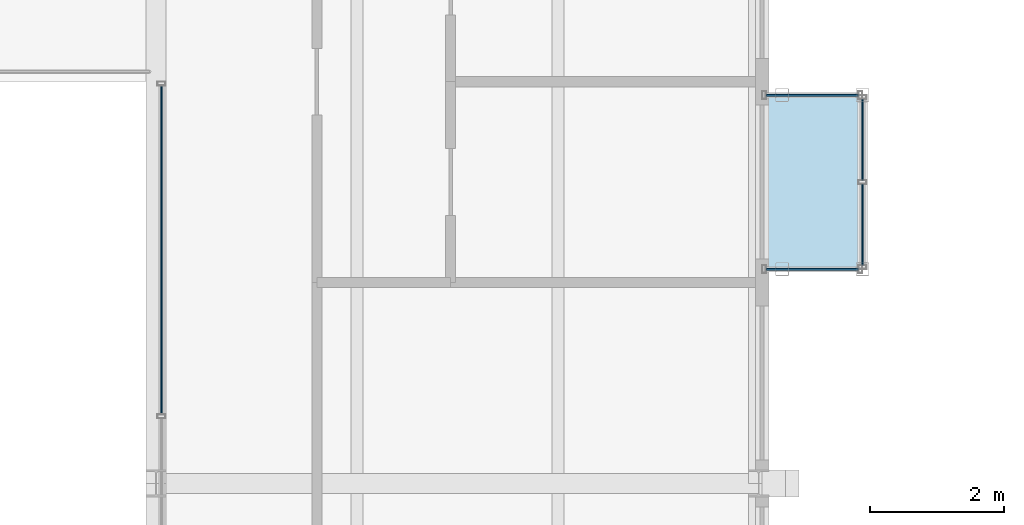
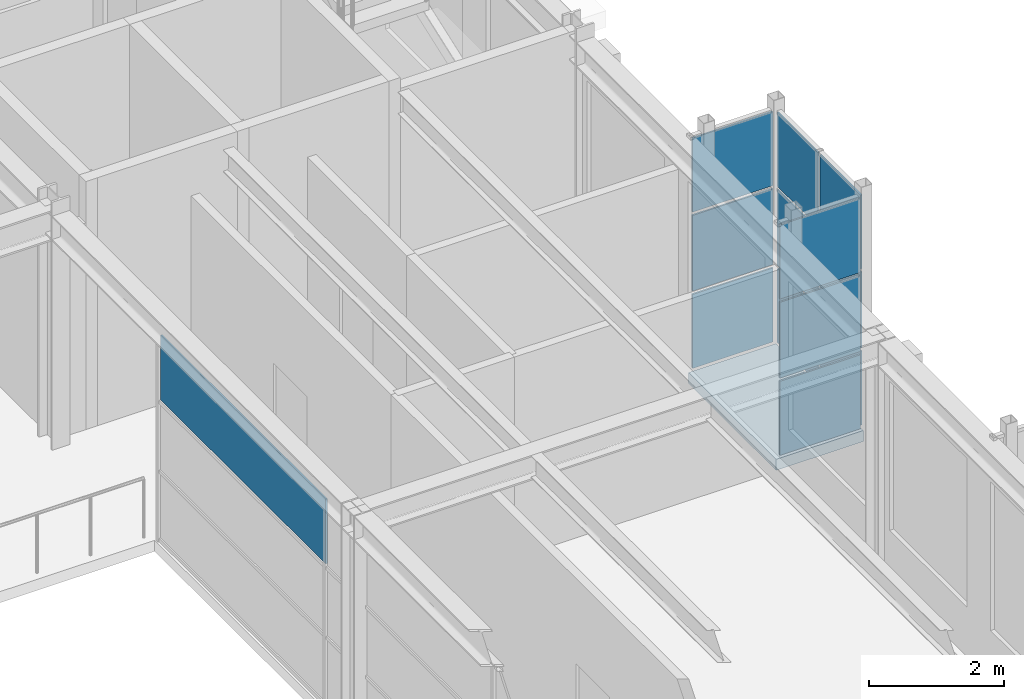
# One storey, part 78 of 149: 13 plates, 1 slab, 4 elements without a shape of their own.
"""IFC4 building model written with IfcOpenShell, lengths in metres."""

from ifc_helpers import new_model, si_unit, direction, frame, origin, origin_2d, place, context, subcontext, project, spatial, polyline, rectangle, outline, extrude, material, layer, layer_set, type_object, element, aggregate, save


model = new_model("IFC4")

# Units and contexts
model_context = context("Model", 3, precision=1e-05, world=origin(), true_north=direction((0.0, 1.0)))
body_context = subcontext(model_context, "Body", "Model", "MODEL_VIEW")
ifc_project = project(units=[si_unit("LENGTHUNIT", "METRE"), si_unit("AREAUNIT", "SQUARE_METRE"), si_unit("VOLUMEUNIT", "CUBIC_METRE"), si_unit("PLANEANGLEUNIT", "RADIAN"), si_unit("MASSUNIT", "GRAM", prefix="KILO")], contexts=[model_context])

# Site, building, storey
site_placement = place(None, origin())
site = spatial("IfcSite", under=ifc_project, at=site_placement, CompositionType="ELEMENT")
building_placement = place(site_placement, origin())
building = spatial("IfcBuilding", under=site, at=building_placement, Name="Kallimachos Central Library", CompositionType="ELEMENT")
storey_placement = place(building_placement, frame((0.0, 0.0, 9.89990234375)))
storey = spatial("IfcBuildingStorey", under=building, at=storey_placement, Name="L02", CompositionType="ELEMENT", Elevation=9.89990234375)

# Curtain wall, plate
ifc_material_1 = material(Name="Aluminium and laminated glass", Category="aluminium")
curtain_wall_type_1 = type_object("IfcCurtainWallType", Name="Atrium glazed screen", PredefinedType="NOTDEFINED", material=ifc_material_1)
curtain_wall_1_placement = place(storey_placement, origin())
curtain_wall_1 = element("IfcCurtainWall", 1, at=curtain_wall_1_placement, inside=storey, type_object=curtain_wall_type_1, Name="L02 atrium screen E", PredefinedType="NOTDEFINED")
ifc_material_2 = material(Name="Laminated glass", Category="glass")
ifc_layer_1 = layer(ifc_material_2, 0.028076171875)
ifc_layer_set_1 = layer_set([ifc_layer_1], Name="Atrium screen glass panel")
plate_type_1 = type_object("IfcPlateType", Name="Atrium screen glass panel", PredefinedType="CURTAIN_PANEL", material=ifc_layer_set_1)
plate_1_placement = place(storey_placement, frame((101.580078125, 69.485107421875, 2.5634765625), z_axis=(0.0, 0.0, 1.0), x_axis=(0.0, 1.0, 0.0)))
plate_1 = element("IfcPlate", 2, at=plate_1_placement, type_object=plate_type_1, Name="CW panel 3.3", PredefinedType="CURTAIN_PANEL", context=body_context, shape_type="SweptSolid", body=[
    extrude(rectangle(XDim=4.909912109375, YDim=0.028076171875, at=origin_2d()), origin(), (0.0, 0.0, 1.0), 1.1767578125),
])
aggregate(curtain_wall_1, [plate_1])

# Slab
ifc_material_3 = material(Name="Composite slab C30/37 on steel deck", Category="concrete")
ifc_layer_2 = layer(ifc_material_3, 0.199951171875)
ifc_layer_set_2 = layer_set([ifc_layer_2], Name="Tribune bay floor slab 200")
slab_type = type_object("IfcSlabType", Name="Tribune bay floor slab 200", PredefinedType="FLOOR", material=ifc_layer_set_2)
slab_placement = place(storey_placement, frame((0.0, 0.0, -0.199951171875)))
element("IfcSlab", 3, at=slab_placement, inside=storey, type_object=slab_type, Name="Tribune bay E2 floor L02", PredefinedType="FLOOR", context=body_context, shape_type="SweptSolid", body=[
    extrude(outline(polyline([(110.550048828125, 69.199951171875), (110.550048828125, 71.800048828125), (112.050048828125, 71.800048828125), (112.050048828125, 69.199951171875), (110.550048828125, 69.199951171875)])), origin(), (0.0, 0.0, 1.0), 0.199951171875),
])

# Curtain wall, plates
ifc_material_4 = material(Name="Aluminium and laminated glass", Category="aluminium")
curtain_wall_type_2 = type_object("IfcCurtainWallType", Name="Tribune bay glazed screen", PredefinedType="NOTDEFINED", material=ifc_material_4)
curtain_wall_2_placement = place(storey_placement, origin())
curtain_wall_2 = element("IfcCurtainWall", 4, at=curtain_wall_2_placement, inside=storey, type_object=curtain_wall_type_2, Name="Tribune bay E2 L02 front", PredefinedType="NOTDEFINED")
ifc_material_5 = material(Name="Laminated glass", Category="glass")
ifc_layer_3 = layer(ifc_material_5, 0.028076171875)
ifc_layer_set_3 = layer_set([ifc_layer_3], Name="Tribune bay glass panel")
plate_type_2 = type_object("IfcPlateType", Name="Tribune bay glass panel", PredefinedType="CURTAIN_PANEL", material=ifc_layer_set_3)
plate_2_placement = place(storey_placement, frame((112.050048828125, 69.864990234375, 0.06005859375), z_axis=(0.0, 0.0, 1.0), x_axis=(0.0, 1.0, 0.0)))
plate_2 = element("IfcPlate", 5, at=plate_2_placement, type_object=plate_type_2, Name="CW panel 1.1", PredefinedType="CURTAIN_PANEL", context=body_context, shape_type="SweptSolid", body=[
    extrude(rectangle(XDim=1.2099609375, YDim=0.028076171875, at=origin_2d()), origin(), (0.0, 0.0, 1.0), 1.34326171875),
])
plate_3_placement = place(storey_placement, frame((112.050048828125, 69.864990234375, 1.46337890625), z_axis=(0.0, 0.0, 1.0), x_axis=(0.0, 1.0, 0.0)))
plate_3 = element("IfcPlate", 6, at=plate_3_placement, type_object=plate_type_2, Name="CW panel 1.2", PredefinedType="CURTAIN_PANEL", context=body_context, shape_type="SweptSolid", body=[
    extrude(rectangle(XDim=1.2099609375, YDim=0.028076171875, at=origin_2d()), origin(), (0.0, 0.0, 1.0), 1.373291015625),
])
plate_4_placement = place(storey_placement, frame((112.050048828125, 69.864990234375, 2.896728515625), z_axis=(0.0, 0.0, 1.0), x_axis=(0.0, 1.0, 0.0)))
plate_4 = element("IfcPlate", 7, at=plate_4_placement, type_object=plate_type_2, Name="CW panel 1.3", PredefinedType="CURTAIN_PANEL", context=body_context, shape_type="SweptSolid", body=[
    extrude(rectangle(XDim=1.2099609375, YDim=0.028076171875, at=origin_2d()), origin(), (0.0, 0.0, 1.0), 1.34326171875),
])
plate_5_placement = place(storey_placement, frame((112.050048828125, 71.135009765625, 0.06005859375), z_axis=(0.0, 0.0, 1.0), x_axis=(0.0, 1.0, 0.0)))
plate_5 = element("IfcPlate", 8, at=plate_5_placement, type_object=plate_type_2, Name="CW panel 2.1", PredefinedType="CURTAIN_PANEL", context=body_context, shape_type="SweptSolid", body=[
    extrude(rectangle(XDim=1.2099609375, YDim=0.028076171875, at=origin_2d()), origin(), (0.0, 0.0, 1.0), 1.34326171875),
])
plate_6_placement = place(storey_placement, frame((112.050048828125, 71.135009765625, 1.46337890625), z_axis=(0.0, 0.0, 1.0), x_axis=(0.0, 1.0, 0.0)))
plate_6 = element("IfcPlate", 9, at=plate_6_placement, type_object=plate_type_2, Name="CW panel 2.2", PredefinedType="CURTAIN_PANEL", context=body_context, shape_type="SweptSolid", body=[
    extrude(rectangle(XDim=1.2099609375, YDim=0.028076171875, at=origin_2d()), origin(), (0.0, 0.0, 1.0), 1.373291015625),
])
plate_7_placement = place(storey_placement, frame((112.050048828125, 71.135009765625, 2.896728515625), z_axis=(0.0, 0.0, 1.0), x_axis=(0.0, 1.0, 0.0)))
plate_7 = element("IfcPlate", 10, at=plate_7_placement, type_object=plate_type_2, Name="CW panel 2.3", PredefinedType="CURTAIN_PANEL", context=body_context, shape_type="SweptSolid", body=[
    extrude(rectangle(XDim=1.2099609375, YDim=0.028076171875, at=origin_2d()), origin(), (0.0, 0.0, 1.0), 1.34326171875),
])
aggregate(curtain_wall_2, [plate_2, plate_3, plate_4, plate_5, plate_6, plate_7])

curtain_wall_3_placement = place(storey_placement, origin())
curtain_wall_3 = element("IfcCurtainWall", 11, at=curtain_wall_3_placement, inside=storey, type_object=curtain_wall_type_2, Name="Tribune bay E2 L02 return 1", PredefinedType="NOTDEFINED")
plate_8_placement = place(storey_placement, frame((111.300048828125, 69.199951171875, 0.06005859375), z_axis=(0.0, 0.0, 1.0), x_axis=(1.0, 0.0, 0.0)))
plate_8 = element("IfcPlate", 12, at=plate_8_placement, type_object=plate_type_2, Name="CW panel 1.1", PredefinedType="CURTAIN_PANEL", context=body_context, shape_type="SweptSolid", body=[
    extrude(rectangle(XDim=1.3798828125, YDim=0.028076171875, at=origin_2d()), origin(), (0.0, 0.0, 1.0), 1.34326171875),
])
plate_9_placement = place(storey_placement, frame((111.300048828125, 69.199951171875, 1.46337890625), z_axis=(0.0, 0.0, 1.0), x_axis=(1.0, 0.0, 0.0)))
plate_9 = element("IfcPlate", 13, at=plate_9_placement, type_object=plate_type_2, Name="CW panel 1.2", PredefinedType="CURTAIN_PANEL", context=body_context, shape_type="SweptSolid", body=[
    extrude(rectangle(XDim=1.3798828125, YDim=0.028076171875, at=origin_2d()), origin(), (0.0, 0.0, 1.0), 1.373291015625),
])
plate_10_placement = place(storey_placement, frame((111.300048828125, 69.199951171875, 2.896728515625), z_axis=(0.0, 0.0, 1.0), x_axis=(1.0, 0.0, 0.0)))
plate_10 = element("IfcPlate", 14, at=plate_10_placement, type_object=plate_type_2, Name="CW panel 1.3", PredefinedType="CURTAIN_PANEL", context=body_context, shape_type="SweptSolid", body=[
    extrude(rectangle(XDim=1.3798828125, YDim=0.028076171875, at=origin_2d()), origin(), (0.0, 0.0, 1.0), 1.34326171875),
])
aggregate(curtain_wall_3, [plate_8, plate_9, plate_10])

curtain_wall_4_placement = place(storey_placement, origin())
curtain_wall_4 = element("IfcCurtainWall", 15, at=curtain_wall_4_placement, inside=storey, type_object=curtain_wall_type_2, Name="Tribune bay E2 L02 return 2", PredefinedType="NOTDEFINED")
plate_11_placement = place(storey_placement, frame((111.300048828125, 71.800048828125, 0.06005859375), z_axis=(0.0, 0.0, 1.0), x_axis=(1.0, 0.0, 0.0)))
plate_11 = element("IfcPlate", 16, at=plate_11_placement, type_object=plate_type_2, Name="CW panel 1.1", PredefinedType="CURTAIN_PANEL", context=body_context, shape_type="SweptSolid", body=[
    extrude(rectangle(XDim=1.3798828125, YDim=0.028076171875, at=origin_2d()), origin(), (0.0, 0.0, 1.0), 1.34326171875),
])
plate_12_placement = place(storey_placement, frame((111.300048828125, 71.800048828125, 1.46337890625), z_axis=(0.0, 0.0, 1.0), x_axis=(1.0, 0.0, 0.0)))
plate_12 = element("IfcPlate", 17, at=plate_12_placement, type_object=plate_type_2, Name="CW panel 1.2", PredefinedType="CURTAIN_PANEL", context=body_context, shape_type="SweptSolid", body=[
    extrude(rectangle(XDim=1.3798828125, YDim=0.028076171875, at=origin_2d()), origin(), (0.0, 0.0, 1.0), 1.373291015625),
])
plate_13_placement = place(storey_placement, frame((111.300048828125, 71.800048828125, 2.896728515625), z_axis=(0.0, 0.0, 1.0), x_axis=(1.0, 0.0, 0.0)))
plate_13 = element("IfcPlate", 18, at=plate_13_placement, type_object=plate_type_2, Name="CW panel 1.3", PredefinedType="CURTAIN_PANEL", context=body_context, shape_type="SweptSolid", body=[
    extrude(rectangle(XDim=1.3798828125, YDim=0.028076171875, at=origin_2d()), origin(), (0.0, 0.0, 1.0), 1.34326171875),
])
aggregate(curtain_wall_4, [plate_11, plate_12, plate_13])

save(model, "model.ifc")
